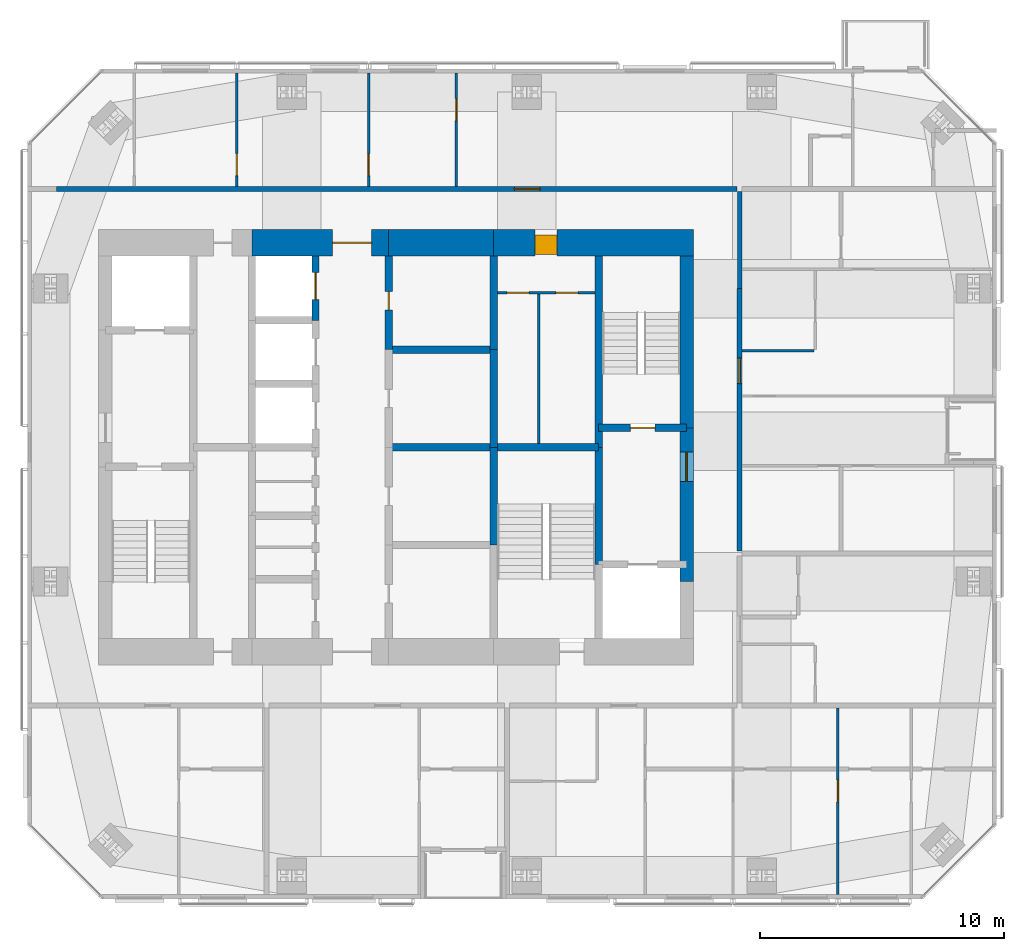
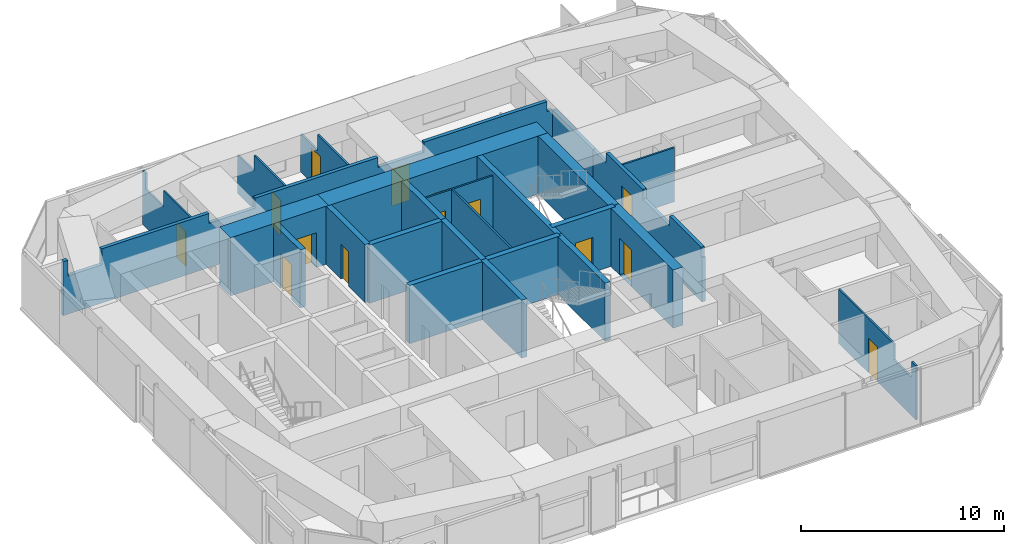
# One storey, part 17 of 20: 26 walls, 14 doors, 14 openings.
"""IFC4 building model written with IfcOpenShell, lengths in metres."""

from ifc_helpers import new_model, si_unit, direction, frame, frame_2d, origin, place, context, subcontext, project, spatial, polyline, rectangle, outline, extrude, material, layer, layer_set, constituent, constituent_set, type_object, element, fill, save


model = new_model("IFC4")

# Units and contexts
model_context = context("Model", 3, precision=1e-05, world=origin(), true_north=direction((0.0, 1.0)))
body_context = subcontext(model_context, "Body", "Model", "MODEL_VIEW")
ifc_project = project(units=[si_unit("LENGTHUNIT", "METRE"), si_unit("AREAUNIT", "SQUARE_METRE"), si_unit("VOLUMEUNIT", "CUBIC_METRE"), si_unit("PLANEANGLEUNIT", "RADIAN"), si_unit("MASSUNIT", "GRAM", prefix="KILO")], contexts=[model_context])

# Site, building, storey
site_placement = place(None, origin())
site = spatial("IfcSite", under=ifc_project, at=site_placement, CompositionType="ELEMENT")
building_placement = place(site_placement, origin())
building = spatial("IfcBuilding", under=site, at=building_placement, Name="Jalousie Tower", CompositionType="ELEMENT")
storey_placement = place(building_placement, frame((0.0, 0.0, 238.949951171875)))
storey = spatial("IfcBuildingStorey", under=building, at=storey_placement, Name="L65", CompositionType="ELEMENT", Elevation=238.949951171875)

# Wall, opening, door
ifc_material_1 = material(Name="Concrete f'c 120 MPa", Category="concrete")
ifc_layer_1 = layer(ifc_material_1, 1.10009765625)
ifc_layer_set_1 = layer_set([ifc_layer_1], Name="Concrete f'c 120 MPa")
wall_type_1 = type_object("IfcWallType", Name="CORE WALL 1100", PredefinedType="SHEAR", material=ifc_layer_set_1)
wall_1_placement = place(storey_placement, frame((44.074951171875, 26.875, 0.0), z_axis=(0.0, 0.0, 1.0), x_axis=(-1.0, 0.0, 0.0)))
wall_1 = element("IfcWall", 1, at=wall_1_placement, inside=storey, type_object=wall_type_1, Name="Core wall NA L65", PredefinedType="SHEAR", context=body_context, shape_type="SweptSolid", body=[
    extrude(rectangle(XDim=8.175048828125, YDim=1.10009765625, at=frame_2d((4.08740234375, 0.0))), origin(), (0.0, 0.0, 1.0), 3.5),
])
opening_1_placement = place(wall_1_placement, frame((5.574951171875, 0.0, 0.0)))
opening_1 = element("IfcOpeningElement", 2, at=opening_1_placement, cuts=wall_1, Name="Opening D25", PredefinedType="OPENING", context=body_context, shape_type="SweptSolid", body=[
    extrude(rectangle(XDim=0.89990234375, YDim=2.10009765625, at=frame_2d((0.449951171875, 1.050048828125))), frame((0.0, 0.56005859375, 0.0), z_axis=(0.0, -1.0, 0.0), x_axis=(1.0, 0.0, 0.0)), (0.0, 0.0, 1.0), 1.1201171875),
])
ifc_material_2 = material(Name="Steel fire door", Category="steel")
door_type_1 = type_object("IfcDoorType", Name="SERVICE LOBBY DOOR 900", OperationType="SINGLE_SWING_LEFT", PredefinedType="DOOR", material=ifc_material_2)
door_1_placement = place(opening_1_placement, origin())
door_1 = element("IfcDoor", 3, at=door_1_placement, inside=storey, type_object=door_type_1, Name="Service lobby door", OperationType="SINGLE_SWING_LEFT", OverallHeight=2.10009765625, OverallWidth=0.89990234375, PredefinedType="DOOR", context=body_context, shape_type="SweptSolid", body=[
    extrude(rectangle(XDim=0.89990234375, YDim=2.10009765625, at=frame_2d((0.449951171875, 1.050048828125))), frame((0.0, 0.47021484375, 0.0), z_axis=(0.0, -1.0, 0.0), x_axis=(1.0, 0.0, 0.0)), (0.0, 0.0, 1.0), 0.800048828125),
])
fill(opening_1, door_1)

# Wall
wall_2_placement = place(storey_placement, frame((35.89990234375, 26.875, 0.0), z_axis=(0.0, 0.0, 1.0), x_axis=(-1.0, 0.0, 0.0)))
element("IfcWall", 4, at=wall_2_placement, inside=storey, type_object=wall_type_1, Name="Core wall NB L65", PredefinedType="SHEAR", context=body_context, shape_type="SweptSolid", body=[
    extrude(rectangle(XDim=4.2998046875, YDim=1.10009765625, at=frame_2d((2.14990234375, 0.0))), origin(), (0.0, 0.0, 1.0), 3.5),
])

# Wall, opening, door
wall_3_placement = place(storey_placement, frame((31.60009765625, 26.875, 0.0), z_axis=(0.0, 0.0, 1.0), x_axis=(-1.0, 0.0, 0.0)))
wall_3 = element("IfcWall", 5, at=wall_3_placement, inside=storey, type_object=wall_type_1, Name="Core wall NC L65", PredefinedType="SHEAR", context=body_context, shape_type="SweptSolid", body=[
    extrude(rectangle(XDim=5.60009765625, YDim=1.10009765625, at=frame_2d((2.800048828125, 0.0))), origin(), (0.0, 0.0, 1.0), 3.5),
])
opening_2_placement = place(wall_3_placement, frame((0.699951171875, 0.0, 0.0)))
opening_2 = element("IfcOpeningElement", 6, at=opening_2_placement, cuts=wall_3, Name="Opening D15", PredefinedType="OPENING", context=body_context, shape_type="SweptSolid", body=[
    extrude(rectangle(XDim=1.60009765625, YDim=2.10009765625, at=frame_2d((0.800048828125, 1.050048828125))), frame((0.0, 0.56005859375, 0.0), z_axis=(0.0, -1.0, 0.0), x_axis=(1.0, 0.0, 0.0)), (0.0, 0.0, 1.0), 1.1201171875),
])
ifc_material_3 = material(Name="Steel fire door", Category="steel")
door_type_2 = type_object("IfcDoorType", Name="LIFT LOBBY DOOR 1600", OperationType="DOUBLE_DOOR_SINGLE_SWING", PredefinedType="DOOR", material=ifc_material_3)
door_2_placement = place(opening_2_placement, origin())
door_2 = element("IfcDoor", 7, at=door_2_placement, inside=storey, type_object=door_type_2, Name="Lift lobby north door", OperationType="DOUBLE_DOOR_SINGLE_SWING", OverallHeight=2.10009765625, OverallWidth=1.60009765625, PredefinedType="DOOR", context=body_context, shape_type="SweptSolid", body=[
    extrude(rectangle(XDim=1.60009765625, YDim=2.10009765625, at=frame_2d((0.800048828125, 1.050048828125))), frame((0.0, 0.02490234375, 0.0), z_axis=(0.0, -1.0, 0.0), x_axis=(1.0, 0.0, 0.0)), (0.0, 0.0, 1.0), 0.050048828125),
])
fill(opening_2, door_2)

ifc_material_4 = material(Name="Concrete f'c 120 MPa", Category="concrete")
ifc_layer_2 = layer(ifc_material_4, 0.300048828125)
ifc_layer_set_2 = layer_set([ifc_layer_2], Name="Concrete f'c 120 MPa")
wall_type_2 = type_object("IfcWallType", Name="CORE WALL 300", PredefinedType="SHEAR", material=ifc_layer_set_2)
wall_4_placement = place(storey_placement, frame((28.60009765625, 23.699951171875, 0.0), z_axis=(0.0, 0.0, 1.0), x_axis=(0.0, 1.0, 0.0)))
wall_4 = element("IfcWall", 8, at=wall_4_placement, inside=storey, type_object=wall_type_2, Name="Core wall X28.6F L65", PredefinedType="SHEAR", context=body_context, shape_type="SweptSolid", body=[
    extrude(rectangle(XDim=2.625, YDim=0.300048828125, at=frame_2d((1.3125, 0.0))), origin(), (0.0, 0.0, 1.0), 3.5),
])
opening_3_placement = place(wall_4_placement, frame((0.85009765625, 0.0, 0.0)))
opening_3 = element("IfcOpeningElement", 9, at=opening_3_placement, cuts=wall_4, Name="Opening LD1", PredefinedType="OPENING", context=body_context, shape_type="SweptSolid", body=[
    extrude(rectangle(XDim=1.10009765625, YDim=2.10009765625, at=frame_2d((0.550048828125, 1.050048828125))), frame((0.0, 0.159912109375, 0.0), z_axis=(0.0, -1.0, 0.0), x_axis=(1.0, 0.0, 0.0)), (0.0, 0.0, 1.0), 0.320068359375),
])
ifc_material_5 = material(Name="Steel lift landing door", Category="steel")
door_type_3 = type_object("IfcDoorType", Name="LIFT LANDING DOOR 1100", OperationType="SLIDING_TO_LEFT", PredefinedType="DOOR", material=ifc_material_5)
door_3_placement = place(opening_3_placement, origin())
door_3 = element("IfcDoor", 10, at=door_3_placement, inside=storey, type_object=door_type_3, Name="Lift P6 landing door", OperationType="SLIDING_TO_LEFT", OverallHeight=2.10009765625, OverallWidth=1.10009765625, PredefinedType="DOOR", context=body_context, shape_type="SweptSolid", body=[
    extrude(rectangle(XDim=1.10009765625, YDim=2.10009765625, at=frame_2d((0.550048828125, 1.050048828125))), frame((0.0, 0.02490234375, 0.0), z_axis=(0.0, -1.0, 0.0), x_axis=(1.0, 0.0, 0.0)), (0.0, 0.0, 1.0), 0.050048828125),
])
fill(opening_3, door_3)

wall_5_placement = place(storey_placement, frame((31.60009765625, 22.5, 0.0), z_axis=(0.0, 0.0, 1.0), x_axis=(0.0, 1.0, 0.0)))
wall_5 = element("IfcWall", 11, at=wall_5_placement, inside=storey, type_object=wall_type_2, Name="Core wall X31.6D L65", PredefinedType="SHEAR", context=body_context, shape_type="SweptSolid", body=[
    extrude(rectangle(XDim=3.824951171875, YDim=0.300048828125, at=frame_2d((1.91259765625, 0.0))), origin(), (0.0, 0.0, 1.0), 3.5),
])
opening_4_placement = place(wall_5_placement, frame((1.625, 0.0, 0.0)))
opening_4 = element("IfcOpeningElement", 12, at=opening_4_placement, cuts=wall_5, Name="Opening D16", PredefinedType="OPENING", context=body_context, shape_type="SweptSolid", body=[
    extrude(rectangle(XDim=0.75, YDim=2.10009765625, at=frame_2d((0.375, 1.050048828125))), frame((0.0, 0.159912109375, 0.0), z_axis=(0.0, -1.0, 0.0), x_axis=(1.0, 0.0, 0.0)), (0.0, 0.0, 1.0), 0.320068359375),
])
ifc_material_6 = material(Name="Steel fire door", Category="steel")
door_type_4 = type_object("IfcDoorType", Name="RISER DOOR 750", OperationType="SINGLE_SWING_LEFT", PredefinedType="DOOR", material=ifc_material_6)
door_4_placement = place(opening_4_placement, frame((0.75, 0.0, 0.0), z_axis=(0.0, 0.0, 1.0), x_axis=(-1.0, 0.0, 0.0)))
door_4 = element("IfcDoor", 13, at=door_4_placement, inside=storey, type_object=door_type_4, Name="Water Services Room door", OperationType="SINGLE_SWING_LEFT", OverallHeight=2.10009765625, OverallWidth=0.75, PredefinedType="DOOR", context=body_context, shape_type="SweptSolid", body=[
    extrude(rectangle(XDim=0.75, YDim=2.10009765625, at=frame_2d((0.375, 1.050048828125))), frame((0.0, 0.02490234375, 0.0), z_axis=(0.0, -1.0, 0.0), x_axis=(1.0, 0.0, 0.0)), (0.0, 0.0, 1.0), 0.050048828125),
])
fill(opening_4, door_4)

# Walls
for number, where, z_axis, x_axis, name in (
    (14, (35.89990234375, 14.5, 0.0), (0.0, 0.0, 1.0), (0.0, 1.0, 0.0), "Core wall X35.9B L65"),
    (15, (35.89990234375, 18.5, 0.0), (0.0, 0.0, 1.0), (0.0, 1.0, 0.0), "Core wall X35.9C L65"),
):
    element("IfcWall", number, at=place(storey_placement, frame(where, z_axis=z_axis, x_axis=x_axis)), inside=storey, type_object=wall_type_2, Name=name, PredefinedType="SHEAR", context=body_context, shape_type="SweptSolid", body=[
        extrude(rectangle(XDim=4.0, YDim=0.300048828125, at=frame_2d((2.0, 0.0))), origin(), (0.0, 0.0, 1.0), 3.5),
    ])
wall_6_placement = place(storey_placement, frame((35.89990234375, 22.5, 0.0), z_axis=(0.0, 0.0, 1.0), x_axis=(0.0, 1.0, 0.0)))
element("IfcWall", 16, at=wall_6_placement, inside=storey, type_object=wall_type_2, Name="Core wall X35.9D L65", PredefinedType="SHEAR", context=body_context, shape_type="SweptSolid", body=[
    extrude(rectangle(XDim=3.824951171875, YDim=0.300048828125, at=frame_2d((1.91259765625, 0.0))), origin(), (0.0, 0.0, 1.0), 3.5),
])
wall_7_placement = place(storey_placement, frame((40.199951171875, 13.699951171875, 0.0), z_axis=(0.0, 0.0, 1.0), x_axis=(0.0, 1.0, 0.0)))
element("IfcWall", 17, at=wall_7_placement, inside=storey, type_object=wall_type_2, Name="Core wall X40.2B L65", PredefinedType="SHEAR", context=body_context, shape_type="SweptSolid", body=[
    extrude(rectangle(XDim=4.800048828125, YDim=0.300048828125, at=frame_2d((2.39990234375, 0.0))), origin(), (0.0, 0.0, 1.0), 3.5),
])
wall_8_placement = place(storey_placement, frame((40.199951171875, 18.5, 0.0), z_axis=(0.0, 0.0, 1.0), x_axis=(0.0, 1.0, 0.0)))
element("IfcWall", 18, at=wall_8_placement, inside=storey, type_object=wall_type_2, Name="Core wall X40.2C L65", PredefinedType="SHEAR", context=body_context, shape_type="SweptSolid", body=[
    extrude(rectangle(XDim=7.824951171875, YDim=0.300048828125, at=frame_2d((3.91259765625, 0.0))), origin(), (0.0, 0.0, 1.0), 3.5),
])
for number, where, z_axis, x_axis, name in (
    (19, (31.60009765625, 18.5, 0.0), (0.0, 0.0, 1.0), (1.0, 0.0, 0.0), "Core wall Y31.6-18.5 L65"),
    (20, (31.60009765625, 22.5, 0.0), (0.0, 0.0, 1.0), (1.0, 0.0, 0.0), "Core wall Y31.6-22.5 L65"),
):
    element("IfcWall", number, at=place(storey_placement, frame(where, z_axis=z_axis, x_axis=x_axis)), inside=storey, type_object=wall_type_2, Name=name, PredefinedType="SHEAR", context=body_context, shape_type="SweptSolid", body=[
        extrude(rectangle(XDim=4.2998046875, YDim=0.300048828125, at=frame_2d((2.14990234375, 0.0))), origin(), (0.0, 0.0, 1.0), 3.5),
    ])
wall_9_placement = place(storey_placement, frame((35.89990234375, 18.5, 0.0), z_axis=(0.0, 0.0, 1.0), x_axis=(1.0, 0.0, 0.0)))
element("IfcWall", 21, at=wall_9_placement, inside=storey, type_object=wall_type_2, Name="Core wall Y35.9-18.5 L65", PredefinedType="SHEAR", context=body_context, shape_type="SweptSolid", body=[
    extrude(rectangle(XDim=4.300048828125, YDim=0.300048828125, at=frame_2d((2.14990234375, 0.0))), origin(), (0.0, 0.0, 1.0), 3.5),
])

# Wall, opening, door
wall_10_placement = place(storey_placement, frame((40.199951171875, 19.300048828125, 0.0), z_axis=(0.0, 0.0, 1.0), x_axis=(1.0, 0.0, 0.0)))
wall_10 = element("IfcWall", 22, at=wall_10_placement, inside=storey, type_object=wall_type_2, Name="Core wall Y40.2-19.3 L65", PredefinedType="SHEAR", context=body_context, shape_type="SweptSolid", body=[
    extrude(rectangle(XDim=3.60009765625, YDim=0.300048828125, at=frame_2d((1.800048828125, 0.0))), origin(), (0.0, 0.0, 1.0), 3.5),
])
opening_5_placement = place(wall_10_placement, frame((1.300048828125, 0.0, 0.0)))
opening_5 = element("IfcOpeningElement", 23, at=opening_5_placement, cuts=wall_10, Name="Opening D10", PredefinedType="OPENING", context=body_context, shape_type="SweptSolid", body=[
    extrude(rectangle(XDim=1.0, YDim=2.10009765625, at=frame_2d((0.5, 1.050048828125))), frame((0.0, 0.159912109375, 0.0), z_axis=(0.0, -1.0, 0.0), x_axis=(1.0, 0.0, 0.0)), (0.0, 0.0, 1.0), 0.320068359375),
])
ifc_material_7 = material(Name="Steel fire door", Category="steel")
door_type_5 = type_object("IfcDoorType", Name="STAIR DOOR 1000", OperationType="SINGLE_SWING_LEFT", PredefinedType="DOOR", material=ifc_material_7)
door_5_placement = place(opening_5_placement, origin())
door_5 = element("IfcDoor", 24, at=door_5_placement, inside=storey, type_object=door_type_5, Name="Exit stair B door", OperationType="SINGLE_SWING_RIGHT", OverallHeight=2.10009765625, OverallWidth=1.0, PredefinedType="DOOR", context=body_context, shape_type="SweptSolid", body=[
    extrude(rectangle(XDim=1.0, YDim=2.10009765625, at=frame_2d((0.5, 1.050048828125))), frame((0.0, 0.02490234375, 0.0), z_axis=(0.0, -1.0, 0.0), x_axis=(1.0, 0.0, 0.0)), (0.0, 0.0, 1.0), 0.050048828125),
])
fill(opening_5, door_5)

ifc_material_8 = material(Name="Concrete f'c 120 MPa", Category="concrete")
ifc_layer_3 = layer(ifc_material_8, 0.550048828125)
ifc_layer_set_3 = layer_set([ifc_layer_3], Name="Concrete f'c 120 MPa")
wall_type_3 = type_object("IfcWallType", Name="CORE WALL 550", PredefinedType="SHEAR", material=ifc_layer_set_3)
wall_11_placement = place(storey_placement, frame((43.800048828125, 13.0, 0.0), z_axis=(0.0, 0.0, 1.0), x_axis=(0.0, 1.0, 0.0)))
wall_11 = element("IfcWall", 25, at=wall_11_placement, inside=storey, type_object=wall_type_3, Name="Core wall EB L65", PredefinedType="SHEAR", context=body_context, shape_type="SweptSolid", body=[
    extrude(rectangle(XDim=6.300048828125, YDim=0.550048828125, at=frame_2d((3.14990234375, 0.0))), origin(), (0.0, 0.0, 1.0), 3.5),
])
opening_6_placement = place(wall_11_placement, frame((4.10009765625, 0.0, 0.0)))
opening_6 = element("IfcOpeningElement", 26, at=opening_6_placement, cuts=wall_11, Name="Opening D11", PredefinedType="OPENING", context=body_context, shape_type="SweptSolid", body=[
    extrude(rectangle(XDim=1.199951171875, YDim=2.199951171875, at=frame_2d((0.60009765625, 1.10009765625))), frame((0.0, 0.284912109375, 0.0), z_axis=(0.0, -1.0, 0.0), x_axis=(1.0, 0.0, 0.0)), (0.0, 0.0, 1.0), 0.570068359375),
])
ifc_material_9 = material(Name="Steel fire door", Category="steel")
door_type_6 = type_object("IfcDoorType", Name="FIRE DOOR 1200", OperationType="SINGLE_SWING_LEFT", PredefinedType="DOOR", material=ifc_material_9)
door_6_placement = place(opening_6_placement, origin())
door_6 = element("IfcDoor", 27, at=door_6_placement, inside=storey, type_object=door_type_6, Name="Fire-fighting lobby B door", OperationType="SINGLE_SWING_RIGHT", OverallHeight=2.199951171875, OverallWidth=1.199951171875, PredefinedType="DOOR", context=body_context, shape_type="SweptSolid", body=[
    extrude(rectangle(XDim=1.199951171875, YDim=2.199951171875, at=frame_2d((0.60009765625, 1.10009765625))), frame((0.0, 0.02490234375, 0.0), z_axis=(0.0, -1.0, 0.0), x_axis=(1.0, 0.0, 0.0)), (0.0, 0.0, 1.0), 0.050048828125),
])
fill(opening_6, door_6)

# Wall
wall_12_placement = place(storey_placement, frame((43.800048828125, 19.300048828125, 0.0), z_axis=(0.0, 0.0, 1.0), x_axis=(0.0, 1.0, 0.0)))
element("IfcWall", 28, at=wall_12_placement, inside=storey, type_object=wall_type_3, Name="Core wall EC L65", PredefinedType="SHEAR", context=body_context, shape_type="SweptSolid", body=[
    extrude(rectangle(XDim=7.02490234375, YDim=0.550048828125, at=frame_2d((3.512451171875, 0.0))), origin(), (0.0, 0.0, 1.0), 3.5),
])

# Wall, opening, door
ifc_material_10 = material(Name="Concrete block ASTM C90", Category="concrete")
ifc_constituent_1 = constituent(ifc_material_10, Name="Body")
ifc_material_11 = material(Name="Render")
ifc_constituent_2 = constituent(ifc_material_11, Name="Finish")
ifc_constituent_set_1 = constituent_set(constituents=[ifc_constituent_1, ifc_constituent_2])
wall_type_4 = type_object("IfcWallType", Name="CORRIDOR WALL 200", PredefinedType="PARTITIONING", material=ifc_constituent_set_1)
wall_13_placement = place(storey_placement, frame((18.0, 29.074951171875, 0.0), z_axis=(0.0, 0.0, 1.0), x_axis=(1.0, 0.0, 0.0)))
wall_13 = element("IfcWall", 29, at=wall_13_placement, inside=storey, type_object=wall_type_4, Name="Corridor Wall 200 L65", PredefinedType="PARTITIONING", context=body_context, shape_type="SweptSolid", body=[
    extrude(outline(polyline([(0.0, 0.0), (27.875, 0.0), (27.875, 3.260009765625), (27.875, 2.66015625), (27.56494140625, 2.66015625), (27.56494140625, 3.260009765625), (20.56005859375, 3.260009765625), (20.56005859375, 2.66015625), (17.93994140625, 2.66015625), (17.93994140625, 3.260009765625), (10.93505859375, 3.260009765625), (10.93505859375, 2.66015625), (8.31494140625, 2.66015625), (8.31494140625, 3.260009765625), (2.191650390625, 3.260009765625), (2.191650390625, 2.300048828125), (0.25634765625, 2.300048828125), (0.25634765625, 3.260009765625), (0.0, 3.260009765625), (0.0, 0.0)])), frame((0.0, 0.10009765625, 0.0), z_axis=(0.0, -1.0, 0.0), x_axis=(1.0, 0.0, 0.0)), (0.0, 0.0, 1.0), 0.199951171875),
])
opening_7_placement = place(wall_13_placement, frame((18.75, 0.0, 0.0)))
opening_7 = element("IfcOpeningElement", 30, at=opening_7_placement, cuts=wall_13, Name="Opening D1", PredefinedType="OPENING", context=body_context, shape_type="SweptSolid", body=[
    extrude(rectangle(XDim=1.050048828125, YDim=2.199951171875, at=frame_2d((0.52490234375, 1.10009765625))), frame((0.0, 0.10986328125, 0.0), z_axis=(0.0, -1.0, 0.0), x_axis=(1.0, 0.0, 0.0)), (0.0, 0.0, 1.0), 0.219970703125),
])
ifc_material_12 = material(Name="Timber fire door", Category="wood")
door_type_7 = type_object("IfcDoorType", Name="APARTMENT ENTRANCE DOOR 1050", OperationType="SINGLE_SWING_LEFT", PredefinedType="DOOR", material=ifc_material_12)
door_7_placement = place(opening_7_placement, origin())
door_7 = element("IfcDoor", 31, at=door_7_placement, inside=storey, type_object=door_type_7, Name="Apartment 6504 entrance", OperationType="SINGLE_SWING_LEFT", OverallHeight=2.199951171875, OverallWidth=1.050048828125, PredefinedType="DOOR", context=body_context, shape_type="SweptSolid", body=[
    extrude(rectangle(XDim=1.050048828125, YDim=2.199951171875, at=frame_2d((0.52490234375, 1.10009765625))), frame((0.0, 0.02490234375, 0.0), z_axis=(0.0, -1.0, 0.0), x_axis=(1.0, 0.0, 0.0)), (0.0, 0.0, 1.0), 0.050048828125),
])
fill(opening_7, door_7)

wall_14_placement = place(storey_placement, frame((45.97509765625, 14.25, 0.0), z_axis=(0.0, 0.0, 1.0), x_axis=(0.0, 1.0, 0.0)))
wall_14 = element("IfcWall", 32, at=wall_14_placement, inside=storey, type_object=wall_type_4, Name="Corridor Wall 200 L65-A", PredefinedType="PARTITIONING", context=body_context, shape_type="SweptSolid", body=[
    extrude(outline(polyline([(0.0, 0.0), (10.75, 0.0), (10.75, 2.66015625), (9.43994140625, 2.66015625), (9.43994140625, 3.260009765625), (5.81005859375, 3.260009765625), (5.81005859375, 2.66015625), (3.18994140625, 2.66015625), (3.18994140625, 3.260009765625), (0.06005859375, 3.260009765625), (0.06005859375, 2.66015625), (0.0, 2.66015625), (0.0, 0.0)])), frame((0.0, 0.10009765625, 0.0), z_axis=(0.0, -1.0, 0.0), x_axis=(1.0, 0.0, 0.0)), (0.0, 0.0, 1.0), 0.199951171875),
])
opening_8_placement = place(wall_14_placement, frame((6.862548828125, 0.0, 0.0)))
opening_8 = element("IfcOpeningElement", 33, at=opening_8_placement, cuts=wall_14, Name="Opening D1", PredefinedType="OPENING", context=body_context, shape_type="SweptSolid", body=[
    extrude(rectangle(XDim=1.050048828125, YDim=2.199951171875, at=frame_2d((0.52490234375, 1.10009765625))), frame((0.0, 0.10986328125, 0.0), z_axis=(0.0, -1.0, 0.0), x_axis=(1.0, 0.0, 0.0)), (0.0, 0.0, 1.0), 0.219970703125),
])
door_8_placement = place(opening_8_placement, frame((1.050048828125, 0.0, 0.0), z_axis=(0.0, 0.0, 1.0), x_axis=(-1.0, 0.0, 0.0)))
door_8 = element("IfcDoor", 34, at=door_8_placement, inside=storey, type_object=door_type_7, Name="Apartment 6506 entrance", OperationType="SINGLE_SWING_LEFT", OverallHeight=2.199951171875, OverallWidth=1.050048828125, PredefinedType="DOOR", context=body_context, shape_type="SweptSolid", body=[
    extrude(rectangle(XDim=1.050048828125, YDim=2.199951171875, at=frame_2d((0.52490234375, 1.10009765625))), frame((0.0, 0.02490234375, 0.0), z_axis=(0.0, -1.0, 0.0), x_axis=(1.0, 0.0, 0.0)), (0.0, 0.0, 1.0), 0.050048828125),
])
fill(opening_8, door_8)

# Wall
wall_15_placement = place(storey_placement, frame((45.97509765625, 25.0, 0.0), z_axis=(0.0, 0.0, 1.0), x_axis=(0.0, 1.0, 0.0)))
element("IfcWall", 35, at=wall_15_placement, inside=storey, type_object=wall_type_4, Name="Corridor Wall 200 L65-B", PredefinedType="PARTITIONING", context=body_context, shape_type="SweptSolid", body=[
    extrude(rectangle(XDim=3.97509765625, YDim=0.199951171875, at=frame_2d((1.987548828125, 0.0))), origin(), (0.0, 0.0, 1.0), 2.66015625),
])

# Wall, opening, door
ifc_material_13 = material(Name="Gypsum board", Category="gypsum")
ifc_constituent_3 = constituent(ifc_material_13, Name="Body")
ifc_material_14 = material(Name="Light-gauge steel studs ASTM A653 SS Grade 33", Category="steel")
ifc_constituent_4 = constituent(ifc_material_14, Name="Framing")
ifc_constituent_set_2 = constituent_set(constituents=[ifc_constituent_3, ifc_constituent_4])
wall_type_5 = type_object("IfcWallType", Name="PARTITION 100", PredefinedType="PARTITIONING", material=ifc_constituent_set_2)
wall_16_placement = place(storey_placement, frame((50.0, 0.175048828125, 0.0), z_axis=(0.0, 0.0, 1.0), x_axis=(0.0, 1.0, 0.0)))
wall_16 = element("IfcWall", 36, at=wall_16_placement, inside=storey, type_object=wall_type_5, Name="Partition 100 L65", PredefinedType="PARTITIONING", context=body_context, shape_type="SweptSolid", body=[
    extrude(outline(polyline([(0.0, 0.0), (7.64990234375, 0.0), (7.64990234375, 3.260009765625), (2.177001953125, 3.260009765625), (2.177001953125, 2.300048828125), (0.432373046875, 2.300048828125), (0.432373046875, 3.260009765625), (0.0, 3.260009765625), (0.0, 0.0)])), frame((0.0, 0.050048828125, 0.0), z_axis=(0.0, -1.0, 0.0), x_axis=(1.0, 0.0, 0.0)), (0.0, 0.0, 1.0), 0.10009765625),
])
opening_9_placement = place(wall_16_placement, frame((3.800048828125, 0.0, 0.0)))
opening_9 = element("IfcOpeningElement", 37, at=opening_9_placement, cuts=wall_16, Name="Opening D2", PredefinedType="OPENING", context=body_context, shape_type="SweptSolid", body=[
    extrude(rectangle(XDim=0.89990234375, YDim=2.10009765625, at=frame_2d((0.449951171875, 1.050048828125))), frame((0.0, 0.06005859375, 0.0), z_axis=(0.0, -1.0, 0.0), x_axis=(1.0, 0.0, 0.0)), (0.0, 0.0, 1.0), 0.1201171875),
])
ifc_material_15 = material(Name="Timber door", Category="wood")
door_type_8 = type_object("IfcDoorType", Name="BEDROOM DOOR 900", OperationType="SINGLE_SWING_LEFT", PredefinedType="DOOR", material=ifc_material_15)
door_9_placement = place(opening_9_placement, origin())
door_9 = element("IfcDoor", 38, at=door_9_placement, inside=storey, type_object=door_type_8, Name="Apartment 6503 bedroom 3 door", OperationType="SINGLE_SWING_RIGHT", OverallHeight=2.10009765625, OverallWidth=0.89990234375, PredefinedType="DOOR", context=body_context, shape_type="SweptSolid", body=[
    extrude(rectangle(XDim=0.89990234375, YDim=2.10009765625, at=frame_2d((0.449951171875, 1.050048828125))), frame((0.0, 0.02490234375, 0.0), z_axis=(0.0, -1.0, 0.0), x_axis=(1.0, 0.0, 0.0)), (0.0, 0.0, 1.0), 0.050048828125),
])
fill(opening_9, door_9)

wall_17_placement = place(storey_placement, frame((25.375, 33.824951171875, 0.0), z_axis=(0.0, 0.0, 1.0), x_axis=(0.0, -1.0, 0.0)))
wall_17 = element("IfcWall", 39, at=wall_17_placement, inside=storey, type_object=wall_type_5, Name="Partition 100 L65", PredefinedType="PARTITIONING", context=body_context, shape_type="SweptSolid", body=[
    extrude(outline(polyline([(0.0, 0.0), (4.64990234375, 0.0), (4.64990234375, 3.260009765625), (2.028564453125, 3.260009765625), (2.028564453125, 2.300048828125), (0.283935546875, 2.300048828125), (0.283935546875, 3.260009765625), (0.0, 3.260009765625), (0.0, 0.0)])), frame((0.0, 0.050048828125, 0.0), z_axis=(0.0, -1.0, 0.0), x_axis=(1.0, 0.0, 0.0)), (0.0, 0.0, 1.0), 0.10009765625),
])
opening_10_placement = place(wall_17_placement, frame((3.300048828125, 0.0, 0.0)))
opening_10 = element("IfcOpeningElement", 40, at=opening_10_placement, cuts=wall_17, Name="Opening D2", PredefinedType="OPENING", context=body_context, shape_type="SweptSolid", body=[
    extrude(rectangle(XDim=0.89990234375, YDim=2.10009765625, at=frame_2d((0.449951171875, 1.050048828125))), frame((0.0, 0.06005859375, 0.0), z_axis=(0.0, -1.0, 0.0), x_axis=(1.0, 0.0, 0.0)), (0.0, 0.0, 1.0), 0.1201171875),
])
door_10_placement = place(opening_10_placement, origin())
door_10 = element("IfcDoor", 41, at=door_10_placement, inside=storey, type_object=door_type_8, Name="Apartment 6504 bedroom 2 door", OperationType="SINGLE_SWING_RIGHT", OverallHeight=2.10009765625, OverallWidth=0.89990234375, PredefinedType="DOOR", context=body_context, shape_type="SweptSolid", body=[
    extrude(rectangle(XDim=0.89990234375, YDim=2.10009765625, at=frame_2d((0.449951171875, 1.050048828125))), frame((0.0, 0.02490234375, 0.0), z_axis=(0.0, -1.0, 0.0), x_axis=(1.0, 0.0, 0.0)), (0.0, 0.0, 1.0), 0.050048828125),
])
fill(opening_10, door_10)

wall_18_placement = place(storey_placement, frame((30.77490234375, 33.824951171875, 0.0), z_axis=(0.0, 0.0, 1.0), x_axis=(0.0, -1.0, 0.0)))
wall_18 = element("IfcWall", 42, at=wall_18_placement, inside=storey, type_object=wall_type_5, Name="Partition 100 L65", PredefinedType="PARTITIONING", context=body_context, shape_type="SweptSolid", body=[
    extrude(outline(polyline([(0.0, 0.0), (4.64990234375, 0.0), (4.64990234375, 3.260009765625), (1.635009765625, 3.260009765625), (1.635009765625, 2.300048828125), (0.0, 2.300048828125), (0.0, 3.260009765625), (0.0, 0.0)])), frame((0.0, 0.050048828125, 0.0), z_axis=(0.0, -1.0, 0.0), x_axis=(1.0, 0.0, 0.0)), (0.0, 0.0, 1.0), 0.10009765625),
])
opening_11_placement = place(wall_18_placement, frame((3.300048828125, 0.0, 0.0)))
opening_11 = element("IfcOpeningElement", 43, at=opening_11_placement, cuts=wall_18, Name="Opening D2", PredefinedType="OPENING", context=body_context, shape_type="SweptSolid", body=[
    extrude(rectangle(XDim=0.89990234375, YDim=2.10009765625, at=frame_2d((0.449951171875, 1.050048828125))), frame((0.0, 0.06005859375, 0.0), z_axis=(0.0, -1.0, 0.0), x_axis=(1.0, 0.0, 0.0)), (0.0, 0.0, 1.0), 0.1201171875),
])
door_11_placement = place(opening_11_placement, frame((0.89990234375, 0.0, 0.0), z_axis=(0.0, 0.0, 1.0), x_axis=(-1.0, 0.0, 0.0)))
door_11 = element("IfcDoor", 44, at=door_11_placement, inside=storey, type_object=door_type_8, Name="Apartment 6504 bedroom 3 door", OperationType="SINGLE_SWING_LEFT", OverallHeight=2.10009765625, OverallWidth=0.89990234375, PredefinedType="DOOR", context=body_context, shape_type="SweptSolid", body=[
    extrude(rectangle(XDim=0.89990234375, YDim=2.10009765625, at=frame_2d((0.449951171875, 1.050048828125))), frame((0.0, 0.02490234375, 0.0), z_axis=(0.0, -1.0, 0.0), x_axis=(1.0, 0.0, 0.0)), (0.0, 0.0, 1.0), 0.050048828125),
])
fill(opening_11, door_11)

wall_19_placement = place(storey_placement, frame((34.375, 33.824951171875, 0.0), z_axis=(0.0, 0.0, 1.0), x_axis=(0.0, -1.0, 0.0)))
wall_19 = element("IfcWall", 45, at=wall_19_placement, inside=storey, type_object=wall_type_5, Name="Partition 100 L65", PredefinedType="PARTITIONING", context=body_context, shape_type="SweptSolid", body=[
    extrude(outline(polyline([(0.0, 0.0), (4.64990234375, 0.0), (4.64990234375, 3.260009765625), (1.635009765625, 3.260009765625), (1.635009765625, 2.300048828125), (0.0, 2.300048828125), (0.0, 3.260009765625), (0.0, 0.0)])), frame((0.0, 0.050048828125, 0.0), z_axis=(0.0, -1.0, 0.0), x_axis=(1.0, 0.0, 0.0)), (0.0, 0.0, 1.0), 0.10009765625),
])
opening_12_placement = place(wall_19_placement, frame((1.050048828125, 0.0, 0.0)))
opening_12 = element("IfcOpeningElement", 46, at=opening_12_placement, cuts=wall_19, Name="Opening D2", PredefinedType="OPENING", context=body_context, shape_type="SweptSolid", body=[
    extrude(rectangle(XDim=0.89990234375, YDim=2.10009765625, at=frame_2d((0.449951171875, 1.050048828125))), frame((0.0, 0.06005859375, 0.0), z_axis=(0.0, -1.0, 0.0), x_axis=(1.0, 0.0, 0.0)), (0.0, 0.0, 1.0), 0.1201171875),
])
door_12_placement = place(opening_12_placement, frame((0.89990234375, 0.0, 0.0), z_axis=(0.0, 0.0, 1.0), x_axis=(-1.0, 0.0, 0.0)))
door_12 = element("IfcDoor", 47, at=door_12_placement, inside=storey, type_object=door_type_8, Name="Apartment 6504 bedroom 4 door", OperationType="SINGLE_SWING_RIGHT", OverallHeight=2.10009765625, OverallWidth=0.89990234375, PredefinedType="DOOR", context=body_context, shape_type="SweptSolid", body=[
    extrude(rectangle(XDim=0.89990234375, YDim=2.10009765625, at=frame_2d((0.449951171875, 1.050048828125))), frame((0.0, 0.02490234375, 0.0), z_axis=(0.0, -1.0, 0.0), x_axis=(1.0, 0.0, 0.0)), (0.0, 0.0, 1.0), 0.050048828125),
])
fill(opening_12, door_12)

# Wall
wall_20_placement = place(storey_placement, frame((49.02490234375, 22.449951171875, 0.0), z_axis=(0.0, 0.0, 1.0), x_axis=(-1.0, 0.0, 0.0)))
element("IfcWall", 48, at=wall_20_placement, inside=storey, type_object=wall_type_5, Name="Partition 100 L65", PredefinedType="PARTITIONING", context=body_context, shape_type="SweptSolid", body=[
    extrude(rectangle(XDim=2.949951171875, YDim=0.10009765625, at=frame_2d((1.47509765625, 0.0))), origin(), (0.0, 0.0, 1.0), 3.260009765625),
])

# Wall, openings, doors
wall_21_placement = place(storey_placement, frame((36.050048828125, 24.824951171875, 0.0), z_axis=(0.0, 0.0, 1.0), x_axis=(1.0, 0.0, 0.0)))
wall_21 = element("IfcWall", 49, at=wall_21_placement, inside=storey, type_object=wall_type_5, Name="Partition 100 L65", PredefinedType="PARTITIONING", context=body_context, shape_type="SweptSolid", body=[
    extrude(rectangle(XDim=4.0, YDim=0.10009765625, at=frame_2d((2.0, 0.0))), origin(), (0.0, 0.0, 1.0), 3.260009765625),
])
opening_13_placement = place(wall_21_placement, frame((0.39990234375, 0.0, 0.0)))
opening_13 = element("IfcOpeningElement", 50, at=opening_13_placement, cuts=wall_21, Name="Opening D7", PredefinedType="OPENING", context=body_context, shape_type="SweptSolid", body=[
    extrude(rectangle(XDim=0.89990234375, YDim=2.10009765625, at=frame_2d((0.449951171875, 1.050048828125))), frame((0.0, 0.06005859375, 0.0), z_axis=(0.0, -1.0, 0.0), x_axis=(1.0, 0.0, 0.0)), (0.0, 0.0, 1.0), 0.1201171875),
])
opening_14_placement = place(wall_21_placement, frame((2.39990234375, 0.0, 0.0)))
opening_14 = element("IfcOpeningElement", 51, at=opening_14_placement, cuts=wall_21, Name="Opening D7", PredefinedType="OPENING", context=body_context, shape_type="SweptSolid", body=[
    extrude(rectangle(XDim=0.89990234375, YDim=2.10009765625, at=frame_2d((0.449951171875, 1.050048828125))), frame((0.0, 0.06005859375, 0.0), z_axis=(0.0, -1.0, 0.0), x_axis=(1.0, 0.0, 0.0)), (0.0, 0.0, 1.0), 0.1201171875),
])
ifc_material_16 = material(Name="Timber door", Category="wood")
door_type_9 = type_object("IfcDoorType", Name="INTERNAL DOOR 900", OperationType="SINGLE_SWING_LEFT", PredefinedType="DOOR", material=ifc_material_16)
door_13_placement = place(opening_13_placement, frame((0.89990234375, 0.0, 0.0), z_axis=(0.0, 0.0, 1.0), x_axis=(-1.0, 0.0, 0.0)))
door_13 = element("IfcDoor", 52, at=door_13_placement, inside=storey, type_object=door_type_9, Name="Staff WC door", OperationType="SINGLE_SWING_LEFT", OverallHeight=2.10009765625, OverallWidth=0.89990234375, PredefinedType="DOOR", context=body_context, shape_type="SweptSolid", body=[
    extrude(rectangle(XDim=0.89990234375, YDim=2.10009765625, at=frame_2d((0.449951171875, 1.050048828125))), frame((0.0, 0.02490234375, 0.0), z_axis=(0.0, -1.0, 0.0), x_axis=(1.0, 0.0, 0.0)), (0.0, 0.0, 1.0), 0.050048828125),
])
fill(opening_13, door_13)
door_14_placement = place(opening_14_placement, frame((0.89990234375, 0.0, 0.0), z_axis=(0.0, 0.0, 1.0), x_axis=(-1.0, 0.0, 0.0)))
door_14 = element("IfcDoor", 53, at=door_14_placement, inside=storey, type_object=door_type_9, Name="Pantry door", OperationType="SINGLE_SWING_RIGHT", OverallHeight=2.10009765625, OverallWidth=0.89990234375, PredefinedType="DOOR", context=body_context, shape_type="SweptSolid", body=[
    extrude(rectangle(XDim=0.89990234375, YDim=2.10009765625, at=frame_2d((0.449951171875, 1.050048828125))), frame((0.0, 0.02490234375, 0.0), z_axis=(0.0, -1.0, 0.0), x_axis=(1.0, 0.0, 0.0)), (0.0, 0.0, 1.0), 0.050048828125),
])
fill(opening_14, door_14)

# Wall
wall_22_placement = place(storey_placement, frame((37.75, 18.64990234375, 0.0), z_axis=(0.0, 0.0, 1.0), x_axis=(0.0, 1.0, 0.0)))
element("IfcWall", 54, at=wall_22_placement, inside=storey, type_object=wall_type_5, Name="Partition 100 L65", PredefinedType="PARTITIONING", context=body_context, shape_type="SweptSolid", body=[
    extrude(rectangle(XDim=6.125, YDim=0.10009765625, at=frame_2d((3.0625, 0.0))), origin(), (0.0, 0.0, 1.0), 3.260009765625),
])

save(model, "model.ifc")
